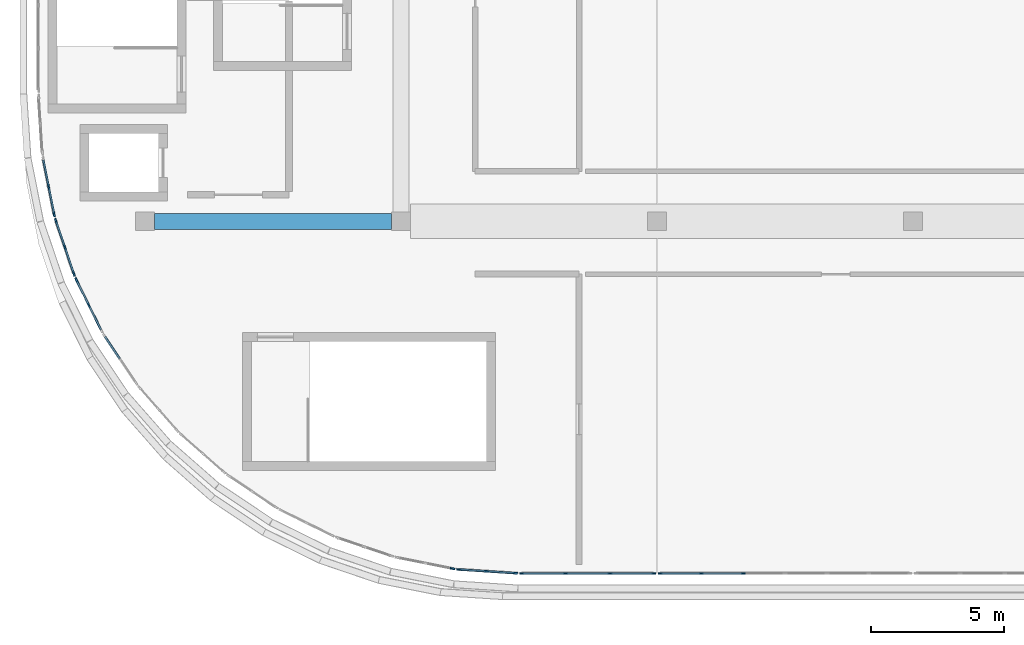
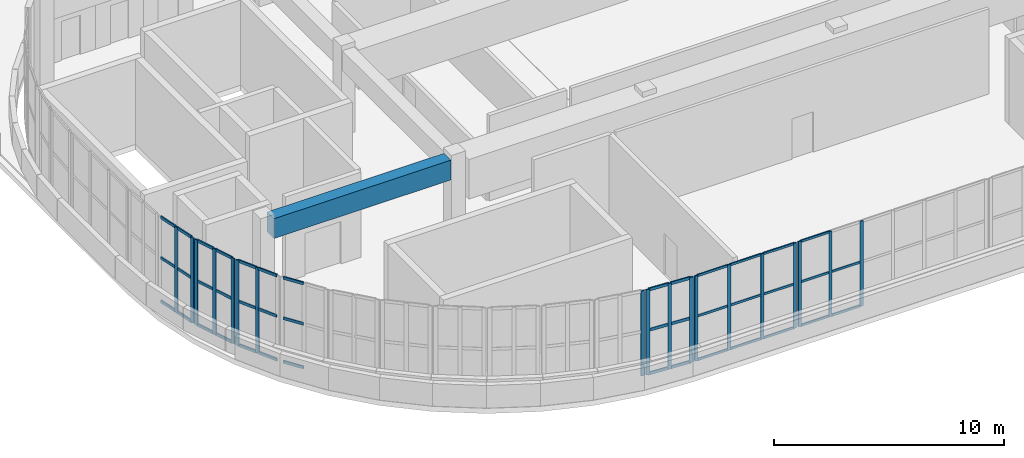
# One storey, part 3 of 23: 59 members, 1 beam, 8 elements without a shape of their own.
"""IFC4 building model written with IfcOpenShell, lengths in metres."""

import ifcopenshell
import ifcopenshell.guid

model = None  # the IFC model being written
_history = None  # IfcOwnerHistory: only IFC2X3 demands one
_inside = {}  # id of a spatial element -> (the spatial element, [elements in it])
_under = {}  # id of a project, library or spatial element -> (it, [spatial elements below it])
_declared = {}  # id of a project -> (the project, [libraries it declares])
_typed = {}  # id of a type object -> (the type object, [elements of that type])
_made_of = {}  # id of a material, layer set ... -> (it, [elements and type objects made of it])


def new_model(schema):
    """Start an empty IFC model of exactly this schema.

    Asked for "IFC4X3", IfcOpenShell would pick the latest addendum, in which some entities
    have other attributes; the version numbers below select the first issue.
    IFC2X3 requires an IfcOwnerHistory on every rooted entity: one is made here for all.
    """
    global model, _history
    if schema == "IFC4X3":
        model = ifcopenshell.file(schema_version=(4, 3, 0, 0))
    else:
        model = ifcopenshell.file(schema=schema)
    _inside.clear()
    _under.clear()
    _declared.clear()
    _typed.clear()
    _made_of.clear()
    _history = None
    if model.schema == "IFC2X3":
        org = make("IfcOrganization", Name="unknown")
        user = make(
            "IfcPersonAndOrganization",
            ThePerson=make("IfcPerson", FamilyName="unknown"),
            TheOrganization=org,
        )
        app = make(
            "IfcApplication",
            ApplicationDeveloper=org,
            Version="unknown",
            ApplicationFullName="unknown",
            ApplicationIdentifier="unknown",
        )
        _history = make(
            "IfcOwnerHistory",
            OwningUser=user,
            OwningApplication=app,
            ChangeAction="ADDED",
            CreationDate=0,
        )
    return model


def make(cls, **values):
    """One entity of the class cls with the attributes given. An attribute that is None is left unset."""
    return model.create_entity(
        cls, **{name: value for name, value in values.items() if value is not None}
    )


def rooted(cls, **values):
    """An entity with a GlobalId (a new one), such as an element, a storey or a relation."""
    return make(cls, GlobalId=ifcopenshell.guid.new(), OwnerHistory=_history, **values)


def si_unit(unit_type, name, prefix=None):
    """IfcSIUnit, for example si_unit("LENGTHUNIT", "METRE", prefix="MILLI")."""
    return make("IfcSIUnit", UnitType=unit_type, Prefix=prefix, Name=name)


def assignment(units):
    """IfcUnitAssignment: the units of a project."""
    return None if units is None else make("IfcUnitAssignment", Units=units)


def point(xyz):
    """IfcCartesianPoint."""
    return None if xyz is None else make("IfcCartesianPoint", Coordinates=xyz)


def direction(xyz):
    """IfcDirection."""
    return None if xyz is None else make("IfcDirection", DirectionRatios=xyz)


def frame(location, z_axis=None, x_axis=None):
    """IfcAxis2Placement3D, a coordinate frame: its origin and axes. An axis left out is left unset."""
    return make(
        "IfcAxis2Placement3D",
        Location=point(location),
        Axis=direction(z_axis),
        RefDirection=direction(x_axis),
    )


def frame_2d(location, x_axis=None):
    """IfcAxis2Placement2D, a coordinate frame in the plane: its origin and x axis."""
    return make(
        "IfcAxis2Placement2D", Location=point(location), RefDirection=direction(x_axis)
    )


def origin():
    """The frame at (0, 0, 0) with its axes left unset."""
    return frame((0.0, 0.0, 0.0))


def origin_2d():
    """The frame at (0, 0) in the plane with its x axis left unset."""
    return frame_2d((0.0, 0.0))


def place(relative_to, where):
    """IfcLocalPlacement: puts the frame where relative to a parent placement (None: the world)."""
    return make(
        "IfcLocalPlacement", PlacementRelTo=relative_to, RelativePlacement=where
    )


def context(
    kind, dimensions, precision=None, world=None, true_north=None, identifier=None
):
    """IfcGeometricRepresentationContext, for example the 3D "Model" context."""
    return make(
        "IfcGeometricRepresentationContext",
        ContextIdentifier=identifier,
        ContextType=kind,
        CoordinateSpaceDimension=dimensions,
        Precision=precision,
        WorldCoordinateSystem=world,
        TrueNorth=true_north,
    )


def subcontext(parent, identifier, kind, view, scale=None):
    """IfcGeometricRepresentationSubContext, for example "Body" below "Model"."""
    return make(
        "IfcGeometricRepresentationSubContext",
        ContextIdentifier=identifier,
        ContextType=kind,
        ParentContext=parent,
        TargetScale=scale,
        TargetView=view,
    )


def project(units=None, contexts=None):
    """IfcProject with its units and contexts."""
    return rooted(
        "IfcProject",
        Name="project",
        RepresentationContexts=contexts,
        UnitsInContext=assignment(units),
    )


def spatial(cls, under=None, at=None, **own):
    """A site, building, storey or space (cls), placed at a placement, below another one or the project."""
    s = rooted(cls, ObjectPlacement=at, **own)
    if under is not None:
        _under.setdefault(under.id(), (under, []))[1].append(s)
    return s


def profile(cls, at=None, kind="AREA", **sizes):
    """A parametric profile (cls). Its sizes go by their IFC names, for example OverallWidth=200.0."""
    return make(cls, ProfileType=kind, Position=at, **sizes)


def rectangle(**sizes):
    """IfcRectangleProfileDef."""
    return profile("IfcRectangleProfileDef", **sizes)


def extrude(swept, where, along, depth):
    """IfcExtrudedAreaSolid: the profile swept, set in the frame where, extruded along a direction by depth."""
    return make(
        "IfcExtrudedAreaSolid",
        SweptArea=swept,
        Position=where,
        ExtrudedDirection=direction(along),
        Depth=depth,
    )


def shape(context_of_items, identifier, shape_type, items):
    """IfcShapeRepresentation: the items that make up one representation, for example the "Body"."""
    return make(
        "IfcShapeRepresentation",
        ContextOfItems=context_of_items,
        RepresentationIdentifier=identifier,
        RepresentationType=shape_type,
        Items=items,
    )


def material(Name=None, Category=None):
    """IfcMaterial."""
    return make("IfcMaterial", Name=Name, Category=Category)


def layer(
    of_material, thickness, ventilated=None, Name=None, Category=None, Priority=None
):
    """IfcMaterialLayer: one layer of a wall or slab, of a material (None: an air gap)."""
    return make(
        "IfcMaterialLayer",
        Material=of_material,
        LayerThickness=thickness,
        IsVentilated=ventilated,
        Name=Name,
        Category=Category,
        Priority=Priority,
    )


def layer_set(layers, Name=None):
    """IfcMaterialLayerSet."""
    return make("IfcMaterialLayerSet", MaterialLayers=layers, LayerSetName=Name)


def material_profile(
    of_material, cross_section, Name=None, Category=None, Priority=None
):
    """IfcMaterialProfile: a cross section and its material."""
    return make(
        "IfcMaterialProfile",
        Name=Name,
        Material=of_material,
        Profile=cross_section,
        Priority=Priority,
        Category=Category,
    )


def profile_set(profiles, Name=None, composite=None):
    """IfcMaterialProfileSet."""
    return make(
        "IfcMaterialProfileSet",
        Name=Name,
        MaterialProfiles=profiles,
        CompositeProfile=composite,
    )


def made_of(thing, what):
    """Note that an element or type object is made of a material, layer set ...; save() writes the relation."""
    if what is not None:
        _made_of.setdefault(what.id(), (what, []))[1].append(thing)
    return thing


def type_object(cls, material=None, **own):
    """A type object (cls), such as IfcWallType, which elements share."""
    return made_of(rooted(cls, **own), material)


def element(
    cls,
    number,
    at=None,
    inside=None,
    cuts=None,
    type_object=None,
    material=None,
    context=None,
    identifier="Body",
    shape_type=None,
    held_by="IfcProductDefinitionShape",
    body=None,
    shapes=None,
    **own,
):
    """One element of the class cls, such as IfcWall. Its Tag is "e" and its number.

    at: its placement. inside: the storey or other place that contains it. cuts: it is an
    opening in that element (IfcRelVoidsElement). A single representation is given by context,
    identifier, shape_type and body (its items); several are given by shapes. held_by: the class
    of the entity that holds the representations. save() writes the other relations.
    """
    e = rooted(cls, Tag="e%d" % number, ObjectPlacement=at, **own)
    if body is not None:
        shapes = [shape(context, identifier, shape_type, body)]
    if shapes is not None:
        e.Representation = make(held_by, Representations=shapes)
    if inside is not None:
        _inside.setdefault(inside.id(), (inside, []))[1].append(e)
    if cuts is not None:
        rooted(
            "IfcRelVoidsElement", RelatingBuildingElement=cuts, RelatedOpeningElement=e
        )
    if type_object is not None:
        _typed.setdefault(type_object.id(), (type_object, []))[1].append(e)
    return made_of(e, material)


def aggregate(whole, parts):
    """IfcRelAggregates: a whole, such as a stair, and the parts it consists of."""
    return rooted("IfcRelAggregates", RelatingObject=whole, RelatedObjects=parts)


def save(model, path):
    """Write the relations noted so far, then the file.

    IfcRelAggregates (storeys below a building ...), IfcRelContainedInSpatialStructure (elements
    in a storey), IfcRelDefinesByType, IfcRelAssociatesMaterial and IfcRelDeclares: one each for
    every whole, place, type object, material and project.
    """
    for whole, parts in _under.values():
        aggregate(whole, parts)
    for where, things in _inside.values():
        rooted(
            "IfcRelContainedInSpatialStructure",
            RelatedElements=things,
            RelatingStructure=where,
        )
    for kind, things in _typed.values():
        rooted("IfcRelDefinesByType", RelatedObjects=things, RelatingType=kind)
    for what, things in _made_of.values():
        rooted("IfcRelAssociatesMaterial", RelatedObjects=things, RelatingMaterial=what)
    for by, libraries in _declared.values():
        rooted("IfcRelDeclares", RelatingContext=by, RelatedDefinitions=libraries)
    model.write(path)


model = new_model("IFC4")

# Units and contexts
model_context = context("Model", 3, precision=1e-05, world=origin(), true_north=direction((0.0, 1.0)))
body_context = subcontext(model_context, "Body", "Model", "MODEL_VIEW")
ifc_project = project(units=[si_unit("LENGTHUNIT", "METRE"), si_unit("AREAUNIT", "SQUARE_METRE"), si_unit("VOLUMEUNIT", "CUBIC_METRE"), si_unit("PLANEANGLEUNIT", "RADIAN"), si_unit("MASSUNIT", "GRAM", prefix="KILO")], contexts=[model_context])

# Site, building, storey
site_placement = place(None, origin())
site = spatial("IfcSite", under=ifc_project, at=site_placement, CompositionType="ELEMENT")
building_placement = place(site_placement, origin())
building = spatial("IfcBuilding", under=site, at=building_placement, Name="Cendralis Terraced Arcade", CompositionType="ELEMENT")
storey_placement = place(building_placement, frame((0.0, 0.0, 29.39990234375)))
storey = spatial("IfcBuildingStorey", under=building, at=storey_placement, Name="L06", CompositionType="ELEMENT", Elevation=29.39990234375)

# Beam
ifc_material_1 = material(Name="Concrete f'c 35 MPa", Category="concrete")
ifc_material_profile_1 = material_profile(ifc_material_1, rectangle(XDim=0.60009765625, YDim=1.050048828125, at=origin_2d()), Name="RC-BM-600x1050", Category="LoadBearing")
ifc_profile_set_1 = profile_set([ifc_material_profile_1], Name="Concrete f'c 35 MPa")
beam_type = type_object("IfcBeamType", Name="BM-600x1050", PredefinedType="JOIST", material=ifc_profile_set_1)
beam_placement = place(storey_placement, frame((9.949951171875, 19.199951171875, 4.0), z_axis=(1.0, 0.0, 0.0), x_axis=(0.0, 1.0, 0.0)))
element("IfcBeam", 1, at=beam_placement, inside=storey, type_object=beam_type, Name="Reinforced Concrete Frame Beam BM-X-RF-C-2_3", PredefinedType="JOIST", context=body_context, shape_type="SweptSolid", body=[
    extrude(rectangle(XDim=0.60009765625, YDim=1.050048828125, at=origin_2d()), origin(), (0.0, 0.0, 1.0), 8.900146484375),
])

# Curtain wall, members
ifc_material_2 = material(Name="Anodised aluminium EN AW-6063 T6", Category="aluminium")
ifc_layer_1 = layer(ifc_material_2, 0.179931640625, Name="CW-UNIT-A")
ifc_layer_set_1 = layer_set([ifc_layer_1], Name="Anodised aluminium EN AW-6063 T6")
curtain_wall_type_1 = type_object("IfcCurtainWallType", Name="CW-UNIT-A", PredefinedType="USERDEFINED", material=ifc_layer_set_1)
curtain_wall_1_placement = place(storey_placement, origin())
curtain_wall_1 = element("IfcCurtainWall", 2, at=curtain_wall_1_placement, inside=storey, type_object=curtain_wall_type_1, Name="Exterior Unitised Facade CW-L06-0485", ObjectType="UNITISED FACADE", PredefinedType="USERDEFINED")
ifc_material_profile_2 = material_profile(ifc_material_2, rectangle(XDim=0.06494140625, YDim=0.179931640625, at=origin_2d()), Name="ALU-MUL-65x180")
ifc_profile_set_2 = profile_set([ifc_material_profile_2], Name="Anodised aluminium EN AW-6063 T6")
member_type_1 = type_object("IfcMemberType", Name="CW-UNIT-A-MUL", PredefinedType="MULLION", material=ifc_profile_set_2)
member_1_placement = place(storey_placement, frame((23.477783203125, 6.008056640625, 0.0), z_axis=(0.0, 0.0, 1.0), x_axis=(-0.065392707503, -0.99785960626, 0.0)))
member_1 = element("IfcMember", 3, at=member_1_placement, type_object=member_type_1, Name="CW-U1 mullion 1", PredefinedType="MULLION", context=body_context, shape_type="SweptSolid", body=[
    extrude(rectangle(XDim=0.06494140625, YDim=0.179931640625, at=origin_2d()), origin(), (0.0, 0.0, 1.0), 4.525146484375),
])
member_2_placement = place(storey_placement, frame((22.42529296875, 6.076904296875, 0.0), z_axis=(0.0, 0.0, 1.0), x_axis=(-0.065392707503, -0.99785960626, 0.0)))
member_2 = element("IfcMember", 4, at=member_2_placement, type_object=member_type_1, Name="CW-U1 mullion 2", PredefinedType="MULLION", context=body_context, shape_type="SweptSolid", body=[
    extrude(rectangle(XDim=0.06494140625, YDim=0.179931640625, at=origin_2d()), origin(), (0.0, 0.0, 1.0), 4.525146484375),
])
member_3_placement = place(storey_placement, frame((21.372802734375, 6.14599609375, 0.0), z_axis=(0.0, 0.0, 1.0), x_axis=(-0.065392707503, -0.99785960626, 0.0)))
member_3 = element("IfcMember", 5, at=member_3_placement, type_object=member_type_1, Name="CW-U1 mullion 3", PredefinedType="MULLION", context=body_context, shape_type="SweptSolid", body=[
    extrude(rectangle(XDim=0.06494140625, YDim=0.179931640625, at=origin_2d()), origin(), (0.0, 0.0, 1.0), 4.525146484375),
])

# Curtain wall, member
curtain_wall_2_placement = place(storey_placement, origin())
curtain_wall_2 = element("IfcCurtainWall", 6, at=curtain_wall_2_placement, inside=storey, type_object=curtain_wall_type_1, Name="Exterior Unitised Facade CW-L06-0486", ObjectType="UNITISED FACADE", PredefinedType="USERDEFINED")
member_4_placement = place(storey_placement, frame((21.13037109375, 6.177978515625, 0.0), z_axis=(0.0, 0.0, 1.0), x_axis=(-0.195045853998, -0.980794124594, 0.0)))
member_4 = element("IfcMember", 7, at=member_4_placement, type_object=member_type_1, Name="CW-U1 mullion 1", PredefinedType="MULLION", context=body_context, shape_type="SweptSolid", body=[
    extrude(rectangle(XDim=0.06494140625, YDim=0.179931640625, at=origin_2d()), origin(), (0.0, 0.0, 1.0), 4.525146484375),
])
aggregate(curtain_wall_2, [member_4])

# Curtain wall, members
curtain_wall_3_placement = place(storey_placement, origin())
curtain_wall_3 = element("IfcCurtainWall", 8, at=curtain_wall_3_placement, inside=storey, type_object=curtain_wall_type_1, Name="Exterior Unitised Facade CW-L06-0493", ObjectType="UNITISED FACADE", PredefinedType="USERDEFINED")
member_5_placement = place(storey_placement, frame((7.490966796875, 16.055908203125, 0.0), z_axis=(0.0, 0.0, 1.0), x_axis=(-0.896887612731, -0.442258533133, 0.0)))
member_5 = element("IfcMember", 9, at=member_5_placement, type_object=member_type_1, Name="CW-U1 mullion 2", PredefinedType="MULLION", context=body_context, shape_type="SweptSolid", body=[
    extrude(rectangle(XDim=0.06494140625, YDim=0.179931640625, at=origin_2d()), origin(), (0.0, 0.0, 1.0), 4.525146484375),
])
member_6_placement = place(storey_placement, frame((7.0244140625, 17.001953125, 0.0), z_axis=(0.0, 0.0, 1.0), x_axis=(-0.896887612731, -0.442258533133, 0.0)))
member_6 = element("IfcMember", 10, at=member_6_placement, type_object=member_type_1, Name="CW-U1 mullion 3", PredefinedType="MULLION", context=body_context, shape_type="SweptSolid", body=[
    extrude(rectangle(XDim=0.06494140625, YDim=0.179931640625, at=origin_2d()), origin(), (0.0, 0.0, 1.0), 4.525146484375),
])

curtain_wall_4_placement = place(storey_placement, origin())
curtain_wall_4 = element("IfcCurtainWall", 11, at=curtain_wall_4_placement, inside=storey, type_object=curtain_wall_type_1, Name="Exterior Unitised Facade CW-L06-0494", ObjectType="UNITISED FACADE", PredefinedType="USERDEFINED")
member_7_placement = place(storey_placement, frame((6.930908203125, 17.227783203125, 0.0), z_axis=(0.0, 0.0, 1.0), x_axis=(-0.946916721066, -0.321478962554, 0.0)))
member_7 = element("IfcMember", 12, at=member_7_placement, type_object=member_type_1, Name="CW-U1 mullion 1", PredefinedType="MULLION", context=body_context, shape_type="SweptSolid", body=[
    extrude(rectangle(XDim=0.06494140625, YDim=0.179931640625, at=origin_2d()), origin(), (0.0, 0.0, 1.0), 4.525146484375),
])
member_8_placement = place(storey_placement, frame((6.591796875, 18.2265625, 0.0), z_axis=(0.0, 0.0, 1.0), x_axis=(-0.946916721066, -0.321478962554, 0.0)))
member_8 = element("IfcMember", 13, at=member_8_placement, type_object=member_type_1, Name="CW-U1 mullion 2", PredefinedType="MULLION", context=body_context, shape_type="SweptSolid", body=[
    extrude(rectangle(XDim=0.06494140625, YDim=0.179931640625, at=origin_2d()), origin(), (0.0, 0.0, 1.0), 4.525146484375),
])
member_9_placement = place(storey_placement, frame((6.252685546875, 19.225341796875, 0.0), z_axis=(0.0, 0.0, 1.0), x_axis=(-0.946916721066, -0.321478962554, 0.0)))
member_9 = element("IfcMember", 14, at=member_9_placement, type_object=member_type_1, Name="CW-U1 mullion 3", PredefinedType="MULLION", context=body_context, shape_type="SweptSolid", body=[
    extrude(rectangle(XDim=0.06494140625, YDim=0.179931640625, at=origin_2d()), origin(), (0.0, 0.0, 1.0), 4.525146484375),
])

curtain_wall_5_placement = place(storey_placement, origin())
curtain_wall_5 = element("IfcCurtainWall", 15, at=curtain_wall_5_placement, inside=storey, type_object=curtain_wall_type_1, Name="Exterior Unitised Facade CW-L06-0495", ObjectType="UNITISED FACADE", PredefinedType="USERDEFINED")
member_10_placement = place(storey_placement, frame((6.189453125, 19.46142578125, 0.0), z_axis=(0.0, 0.0, 1.0), x_axis=(-0.980794124594, -0.195045853998, 0.0)))
member_10 = element("IfcMember", 16, at=member_10_placement, type_object=member_type_1, Name="CW-U1 mullion 1", PredefinedType="MULLION", context=body_context, shape_type="SweptSolid", body=[
    extrude(rectangle(XDim=0.06494140625, YDim=0.179931640625, at=origin_2d()), origin(), (0.0, 0.0, 1.0), 4.525146484375),
])
member_11_placement = place(storey_placement, frame((5.983642578125, 20.495849609375, 0.0), z_axis=(0.0, 0.0, 1.0), x_axis=(-0.980794124594, -0.195045853998, 0.0)))
member_11 = element("IfcMember", 17, at=member_11_placement, type_object=member_type_1, Name="CW-U1 mullion 2", PredefinedType="MULLION", context=body_context, shape_type="SweptSolid", body=[
    extrude(rectangle(XDim=0.06494140625, YDim=0.179931640625, at=origin_2d()), origin(), (0.0, 0.0, 1.0), 4.525146484375),
])

# Member
ifc_material_profile_3 = material_profile(ifc_material_2, rectangle(XDim=0.06494140625, YDim=0.14990234375, at=origin_2d()), Name="ALU-TRN-65x150")
ifc_profile_set_3 = profile_set([ifc_material_profile_3], Name="Anodised aluminium EN AW-6063 T6")
member_type_2 = type_object("IfcMemberType", Name="CW-UNIT-A-TRN", PredefinedType="USERDEFINED", material=ifc_profile_set_3)
member_12_placement = place(storey_placement, frame((23.4453125, 6.01025390625, 0.03271484375), z_axis=(-0.997860907992, 0.065372840697, 0.0), x_axis=(-0.065372840697, -0.997860907992, 0.0)))
member_12 = element("IfcMember", 18, at=member_12_placement, type_object=member_type_2, Name="CW-U1 transom 1.1", ObjectType="TRANSOM", PredefinedType="USERDEFINED", context=body_context, shape_type="SweptSolid", body=[
    extrude(rectangle(XDim=0.06494140625, YDim=0.14990234375, at=origin_2d()), origin(), (0.0, 0.0, 1.0), 0.98974609375),
])

member_13_placement = place(storey_placement, frame((23.4453125, 6.01025390625, 2.35302734375), z_axis=(-0.997860907992, 0.065372840697, 0.0), x_axis=(-0.065372840697, -0.997860907992, 0.0)))
member_13 = element("IfcMember", 19, at=member_13_placement, type_object=member_type_2, Name="CW-U1 transom 1.2", ObjectType="TRANSOM", PredefinedType="USERDEFINED", context=body_context, shape_type="SweptSolid", body=[
    extrude(rectangle(XDim=0.06494140625, YDim=0.14990234375, at=origin_2d()), origin(), (0.0, 0.0, 1.0), 0.98974609375),
])

member_14_placement = place(storey_placement, frame((23.4453125, 6.01025390625, 4.49267578125), z_axis=(-0.997860907992, 0.065372840697, 0.0), x_axis=(-0.065372840697, -0.997860907992, 0.0)))
member_14 = element("IfcMember", 20, at=member_14_placement, type_object=member_type_2, Name="CW-U1 transom 1.3", ObjectType="TRANSOM", PredefinedType="USERDEFINED", context=body_context, shape_type="SweptSolid", body=[
    extrude(rectangle(XDim=0.06494140625, YDim=0.14990234375, at=origin_2d()), origin(), (0.0, 0.0, 1.0), 0.98974609375),
])

member_15_placement = place(storey_placement, frame((22.392822265625, 6.0791015625, 0.03271484375), z_axis=(-0.997860907992, 0.065372840697, 0.0), x_axis=(-0.065372840697, -0.997860907992, 0.0)))
member_15 = element("IfcMember", 21, at=member_15_placement, type_object=member_type_2, Name="CW-U1 transom 2.1", ObjectType="TRANSOM", PredefinedType="USERDEFINED", context=body_context, shape_type="SweptSolid", body=[
    extrude(rectangle(XDim=0.06494140625, YDim=0.14990234375, at=origin_2d()), origin(), (0.0, 0.0, 1.0), 0.98974609375),
])

member_16_placement = place(storey_placement, frame((22.392822265625, 6.0791015625, 2.35302734375), z_axis=(-0.997860907992, 0.065372840697, 0.0), x_axis=(-0.065372840697, -0.997860907992, 0.0)))
member_16 = element("IfcMember", 22, at=member_16_placement, type_object=member_type_2, Name="CW-U1 transom 2.2", ObjectType="TRANSOM", PredefinedType="USERDEFINED", context=body_context, shape_type="SweptSolid", body=[
    extrude(rectangle(XDim=0.06494140625, YDim=0.14990234375, at=origin_2d()), origin(), (0.0, 0.0, 1.0), 0.98974609375),
])

member_17_placement = place(storey_placement, frame((22.392822265625, 6.0791015625, 4.49267578125), z_axis=(-0.997860907992, 0.065372840697, 0.0), x_axis=(-0.065372840697, -0.997860907992, 0.0)))
member_17 = element("IfcMember", 23, at=member_17_placement, type_object=member_type_2, Name="CW-U1 transom 2.3", ObjectType="TRANSOM", PredefinedType="USERDEFINED", context=body_context, shape_type="SweptSolid", body=[
    extrude(rectangle(XDim=0.06494140625, YDim=0.14990234375, at=origin_2d()), origin(), (0.0, 0.0, 1.0), 0.98974609375),
])

aggregate(curtain_wall_1, [member_1, member_2, member_3, member_12, member_13, member_14, member_15, member_16, member_17])

# Curtain wall, members
curtain_wall_6_placement = place(storey_placement, origin())
curtain_wall_6 = element("IfcCurtainWall", 24, at=curtain_wall_6_placement, inside=storey, type_object=curtain_wall_type_1, Name="Exterior Unitised Facade CW-L06-0492", ObjectType="UNITISED FACADE", PredefinedType="USERDEFINED")
member_18_placement = place(storey_placement, frame((8.6474609375, 14.048095703125, 0.03271484375), z_axis=(-0.555496869946, 0.83151862726, 0.0), x_axis=(-0.83151862726, -0.555496869946, 0.0)))
member_18 = element("IfcMember", 25, at=member_18_placement, type_object=member_type_2, Name="CW-U1 transom 2.1", ObjectType="TRANSOM", PredefinedType="USERDEFINED", context=body_context, shape_type="SweptSolid", body=[
    extrude(rectangle(XDim=0.06494140625, YDim=0.14990234375, at=origin_2d()), origin(), (0.0, 0.0, 1.0), 0.98974609375),
])
member_19_placement = place(storey_placement, frame((8.6474609375, 14.048095703125, 2.35302734375), z_axis=(-0.555496869946, 0.83151862726, 0.0), x_axis=(-0.83151862726, -0.555496869946, 0.0)))
member_19 = element("IfcMember", 26, at=member_19_placement, type_object=member_type_2, Name="CW-U1 transom 2.2", ObjectType="TRANSOM", PredefinedType="USERDEFINED", context=body_context, shape_type="SweptSolid", body=[
    extrude(rectangle(XDim=0.06494140625, YDim=0.14990234375, at=origin_2d()), origin(), (0.0, 0.0, 1.0), 0.98974609375),
])
member_20_placement = place(storey_placement, frame((8.6474609375, 14.048095703125, 4.49267578125), z_axis=(-0.555496869946, 0.83151862726, 0.0), x_axis=(-0.83151862726, -0.555496869946, 0.0)))
member_20 = element("IfcMember", 27, at=member_20_placement, type_object=member_type_2, Name="CW-U1 transom 2.3", ObjectType="TRANSOM", PredefinedType="USERDEFINED", context=body_context, shape_type="SweptSolid", body=[
    extrude(rectangle(XDim=0.06494140625, YDim=0.14990234375, at=origin_2d()), origin(), (0.0, 0.0, 1.0), 0.98974609375),
])
aggregate(curtain_wall_6, [member_18, member_19, member_20])

# Member
member_21_placement = place(storey_placement, frame((7.94287109375, 15.138916015625, 0.03271484375), z_axis=(-0.442273458104, 0.89688025302, 0.0), x_axis=(-0.89688025302, -0.442273458104, 0.0)))
member_21 = element("IfcMember", 28, at=member_21_placement, type_object=member_type_2, Name="CW-U1 transom 1.1", ObjectType="TRANSOM", PredefinedType="USERDEFINED", context=body_context, shape_type="SweptSolid", body=[
    extrude(rectangle(XDim=0.06494140625, YDim=0.14990234375, at=origin_2d()), origin(), (0.0, 0.0, 1.0), 0.98974609375),
])

member_22_placement = place(storey_placement, frame((7.94287109375, 15.138916015625, 2.35302734375), z_axis=(-0.442273458104, 0.89688025302, 0.0), x_axis=(-0.89688025302, -0.442273458104, 0.0)))
member_22 = element("IfcMember", 29, at=member_22_placement, type_object=member_type_2, Name="CW-U1 transom 1.2", ObjectType="TRANSOM", PredefinedType="USERDEFINED", context=body_context, shape_type="SweptSolid", body=[
    extrude(rectangle(XDim=0.06494140625, YDim=0.14990234375, at=origin_2d()), origin(), (0.0, 0.0, 1.0), 0.98974609375),
])

member_23_placement = place(storey_placement, frame((7.94287109375, 15.138916015625, 4.49267578125), z_axis=(-0.442273458104, 0.89688025302, 0.0), x_axis=(-0.89688025302, -0.442273458104, 0.0)))
member_23 = element("IfcMember", 30, at=member_23_placement, type_object=member_type_2, Name="CW-U1 transom 1.3", ObjectType="TRANSOM", PredefinedType="USERDEFINED", context=body_context, shape_type="SweptSolid", body=[
    extrude(rectangle(XDim=0.06494140625, YDim=0.14990234375, at=origin_2d()), origin(), (0.0, 0.0, 1.0), 0.98974609375),
])

member_24_placement = place(storey_placement, frame((7.4765625, 16.0849609375, 0.03271484375), z_axis=(-0.442273458104, 0.89688025302, 0.0), x_axis=(-0.89688025302, -0.442273458104, 0.0)))
member_24 = element("IfcMember", 31, at=member_24_placement, type_object=member_type_2, Name="CW-U1 transom 2.1", ObjectType="TRANSOM", PredefinedType="USERDEFINED", context=body_context, shape_type="SweptSolid", body=[
    extrude(rectangle(XDim=0.06494140625, YDim=0.14990234375, at=origin_2d()), origin(), (0.0, 0.0, 1.0), 0.98974609375),
])

member_25_placement = place(storey_placement, frame((7.4765625, 16.0849609375, 2.35302734375), z_axis=(-0.442273458104, 0.89688025302, 0.0), x_axis=(-0.89688025302, -0.442273458104, 0.0)))
member_25 = element("IfcMember", 32, at=member_25_placement, type_object=member_type_2, Name="CW-U1 transom 2.2", ObjectType="TRANSOM", PredefinedType="USERDEFINED", context=body_context, shape_type="SweptSolid", body=[
    extrude(rectangle(XDim=0.06494140625, YDim=0.14990234375, at=origin_2d()), origin(), (0.0, 0.0, 1.0), 0.98974609375),
])

member_26_placement = place(storey_placement, frame((7.4765625, 16.0849609375, 4.49267578125), z_axis=(-0.442273458104, 0.89688025302, 0.0), x_axis=(-0.89688025302, -0.442273458104, 0.0)))
member_26 = element("IfcMember", 33, at=member_26_placement, type_object=member_type_2, Name="CW-U1 transom 2.3", ObjectType="TRANSOM", PredefinedType="USERDEFINED", context=body_context, shape_type="SweptSolid", body=[
    extrude(rectangle(XDim=0.06494140625, YDim=0.14990234375, at=origin_2d()), origin(), (0.0, 0.0, 1.0), 0.98974609375),
])

aggregate(curtain_wall_3, [member_5, member_6, member_21, member_22, member_23, member_24, member_25, member_26])

member_27_placement = place(storey_placement, frame((6.92041015625, 17.258544921875, 0.03271484375), z_axis=(-0.321402992909, 0.946942509421, 0.0), x_axis=(-0.946942509421, -0.321402992909, 0.0)))
member_27 = element("IfcMember", 34, at=member_27_placement, type_object=member_type_2, Name="CW-U1 transom 1.1", ObjectType="TRANSOM", PredefinedType="USERDEFINED", context=body_context, shape_type="SweptSolid", body=[
    extrude(rectangle(XDim=0.06494140625, YDim=0.14990234375, at=origin_2d()), origin(), (0.0, 0.0, 1.0), 0.98974609375),
])

member_28_placement = place(storey_placement, frame((6.92041015625, 17.258544921875, 2.35302734375), z_axis=(-0.321402992909, 0.946942509421, 0.0), x_axis=(-0.946942509421, -0.321402992909, 0.0)))
member_28 = element("IfcMember", 35, at=member_28_placement, type_object=member_type_2, Name="CW-U1 transom 1.2", ObjectType="TRANSOM", PredefinedType="USERDEFINED", context=body_context, shape_type="SweptSolid", body=[
    extrude(rectangle(XDim=0.06494140625, YDim=0.14990234375, at=origin_2d()), origin(), (0.0, 0.0, 1.0), 0.98974609375),
])

member_29_placement = place(storey_placement, frame((6.92041015625, 17.258544921875, 4.49267578125), z_axis=(-0.321402992909, 0.946942509421, 0.0), x_axis=(-0.946942509421, -0.321402992909, 0.0)))
member_29 = element("IfcMember", 36, at=member_29_placement, type_object=member_type_2, Name="CW-U1 transom 1.3", ObjectType="TRANSOM", PredefinedType="USERDEFINED", context=body_context, shape_type="SweptSolid", body=[
    extrude(rectangle(XDim=0.06494140625, YDim=0.14990234375, at=origin_2d()), origin(), (0.0, 0.0, 1.0), 0.98974609375),
])

member_30_placement = place(storey_placement, frame((6.581298828125, 18.25732421875, 0.03271484375), z_axis=(-0.321402992909, 0.946942509421, 0.0), x_axis=(-0.946942509421, -0.321402992909, 0.0)))
member_30 = element("IfcMember", 37, at=member_30_placement, type_object=member_type_2, Name="CW-U1 transom 2.1", ObjectType="TRANSOM", PredefinedType="USERDEFINED", context=body_context, shape_type="SweptSolid", body=[
    extrude(rectangle(XDim=0.06494140625, YDim=0.14990234375, at=origin_2d()), origin(), (0.0, 0.0, 1.0), 0.98974609375),
])

member_31_placement = place(storey_placement, frame((6.581298828125, 18.25732421875, 2.35302734375), z_axis=(-0.321402992909, 0.946942509421, 0.0), x_axis=(-0.946942509421, -0.321402992909, 0.0)))
member_31 = element("IfcMember", 38, at=member_31_placement, type_object=member_type_2, Name="CW-U1 transom 2.2", ObjectType="TRANSOM", PredefinedType="USERDEFINED", context=body_context, shape_type="SweptSolid", body=[
    extrude(rectangle(XDim=0.06494140625, YDim=0.14990234375, at=origin_2d()), origin(), (0.0, 0.0, 1.0), 0.98974609375),
])

member_32_placement = place(storey_placement, frame((6.581298828125, 18.25732421875, 4.49267578125), z_axis=(-0.321402992909, 0.946942509421, 0.0), x_axis=(-0.946942509421, -0.321402992909, 0.0)))
member_32 = element("IfcMember", 39, at=member_32_placement, type_object=member_type_2, Name="CW-U1 transom 2.3", ObjectType="TRANSOM", PredefinedType="USERDEFINED", context=body_context, shape_type="SweptSolid", body=[
    extrude(rectangle(XDim=0.06494140625, YDim=0.14990234375, at=origin_2d()), origin(), (0.0, 0.0, 1.0), 0.98974609375),
])

aggregate(curtain_wall_4, [member_7, member_8, member_9, member_27, member_28, member_29, member_30, member_31, member_32])

member_33_placement = place(storey_placement, frame((6.18310546875, 19.493408203125, 0.03271484375), z_axis=(-0.195119846833, 0.98077940709, 0.0), x_axis=(-0.98077940709, -0.195119846833, 0.0)))
member_33 = element("IfcMember", 40, at=member_33_placement, type_object=member_type_2, Name="CW-U1 transom 1.1", ObjectType="TRANSOM", PredefinedType="USERDEFINED", context=body_context, shape_type="SweptSolid", body=[
    extrude(rectangle(XDim=0.06494140625, YDim=0.14990234375, at=origin_2d()), origin(), (0.0, 0.0, 1.0), 0.98974609375),
])

member_34_placement = place(storey_placement, frame((6.18310546875, 19.493408203125, 2.35302734375), z_axis=(-0.195119846833, 0.98077940709, 0.0), x_axis=(-0.98077940709, -0.195119846833, 0.0)))
member_34 = element("IfcMember", 41, at=member_34_placement, type_object=member_type_2, Name="CW-U1 transom 1.2", ObjectType="TRANSOM", PredefinedType="USERDEFINED", context=body_context, shape_type="SweptSolid", body=[
    extrude(rectangle(XDim=0.06494140625, YDim=0.14990234375, at=origin_2d()), origin(), (0.0, 0.0, 1.0), 0.98974609375),
])

member_35_placement = place(storey_placement, frame((6.18310546875, 19.493408203125, 4.49267578125), z_axis=(-0.195119846833, 0.98077940709, 0.0), x_axis=(-0.98077940709, -0.195119846833, 0.0)))
member_35 = element("IfcMember", 42, at=member_35_placement, type_object=member_type_2, Name="CW-U1 transom 1.3", ObjectType="TRANSOM", PredefinedType="USERDEFINED", context=body_context, shape_type="SweptSolid", body=[
    extrude(rectangle(XDim=0.06494140625, YDim=0.14990234375, at=origin_2d()), origin(), (0.0, 0.0, 1.0), 0.98974609375),
])

member_36_placement = place(storey_placement, frame((5.977294921875, 20.52783203125, 0.03271484375), z_axis=(-0.195119846833, 0.98077940709, 0.0), x_axis=(-0.98077940709, -0.195119846833, 0.0)))
member_36 = element("IfcMember", 43, at=member_36_placement, type_object=member_type_2, Name="CW-U1 transom 2.1", ObjectType="TRANSOM", PredefinedType="USERDEFINED", context=body_context, shape_type="SweptSolid", body=[
    extrude(rectangle(XDim=0.06494140625, YDim=0.14990234375, at=origin_2d()), origin(), (0.0, 0.0, 1.0), 0.98974609375),
])

member_37_placement = place(storey_placement, frame((5.977294921875, 20.52783203125, 2.35302734375), z_axis=(-0.195119846833, 0.98077940709, 0.0), x_axis=(-0.98077940709, -0.195119846833, 0.0)))
member_37 = element("IfcMember", 44, at=member_37_placement, type_object=member_type_2, Name="CW-U1 transom 2.2", ObjectType="TRANSOM", PredefinedType="USERDEFINED", context=body_context, shape_type="SweptSolid", body=[
    extrude(rectangle(XDim=0.06494140625, YDim=0.14990234375, at=origin_2d()), origin(), (0.0, 0.0, 1.0), 0.98974609375),
])

member_38_placement = place(storey_placement, frame((5.977294921875, 20.52783203125, 4.49267578125), z_axis=(-0.195119846833, 0.98077940709, 0.0), x_axis=(-0.98077940709, -0.195119846833, 0.0)))
member_38 = element("IfcMember", 45, at=member_38_placement, type_object=member_type_2, Name="CW-U1 transom 2.3", ObjectType="TRANSOM", PredefinedType="USERDEFINED", context=body_context, shape_type="SweptSolid", body=[
    extrude(rectangle(XDim=0.06494140625, YDim=0.14990234375, at=origin_2d()), origin(), (0.0, 0.0, 1.0), 0.98974609375),
])

aggregate(curtain_wall_5, [member_10, member_11, member_33, member_34, member_35, member_36, member_37, member_38])

# Curtain wall, members
ifc_layer_2 = layer(ifc_material_2, 0.159912109375, Name="CW-UNIT-B")
ifc_layer_set_2 = layer_set([ifc_layer_2], Name="Anodised aluminium EN AW-6063 T6")
curtain_wall_type_2 = type_object("IfcCurtainWallType", Name="CW-UNIT-B", PredefinedType="USERDEFINED", material=ifc_layer_set_2)
curtain_wall_7_placement = place(storey_placement, origin())
curtain_wall_7 = element("IfcCurtainWall", 46, at=curtain_wall_7_placement, inside=storey, type_object=curtain_wall_type_2, Name="Exterior Unitised Facade CW-L06-0483", ObjectType="UNITISED FACADE", PredefinedType="USERDEFINED")
ifc_material_profile_4 = material_profile(ifc_material_2, rectangle(XDim=0.06494140625, YDim=0.159912109375, at=origin_2d()), Name="ALU-MUL-65x160")
ifc_profile_set_4 = profile_set([ifc_material_profile_4], Name="Anodised aluminium EN AW-6063 T6")
member_type_3 = type_object("IfcMemberType", Name="CW-UNIT-B-MUL", PredefinedType="MULLION", material=ifc_profile_set_4)
member_39_placement = place(storey_placement, frame((32.030029296875, 6.0, 0.0), z_axis=(0.0, 0.0, 1.0), x_axis=(0.0, -1.0, 0.0)))
member_39 = element("IfcMember", 47, at=member_39_placement, type_object=member_type_3, Name="CW-U2 mullion 5", PredefinedType="MULLION", context=body_context, shape_type="SweptSolid", body=[
    extrude(rectangle(XDim=0.06494140625, YDim=0.159912109375, at=origin_2d()), origin(), (0.0, 0.0, 1.0), 4.525146484375),
])
member_40_placement = place(storey_placement, frame((30.4599609375, 6.0, 0.0), z_axis=(0.0, 0.0, 1.0), x_axis=(0.0, -1.0, 0.0)))
member_40 = element("IfcMember", 48, at=member_40_placement, type_object=member_type_3, Name="CW-U2 mullion 6", PredefinedType="MULLION", context=body_context, shape_type="SweptSolid", body=[
    extrude(rectangle(XDim=0.06494140625, YDim=0.159912109375, at=origin_2d()), origin(), (0.0, 0.0, 1.0), 4.525146484375),
])
member_41_placement = place(storey_placement, frame((28.922607421875, 6.0, 0.0), z_axis=(0.0, 0.0, 1.0), x_axis=(0.0, -1.0, 0.0)))
member_41 = element("IfcMember", 49, at=member_41_placement, type_object=member_type_3, Name="CW-U2 mullion 7", PredefinedType="MULLION", context=body_context, shape_type="SweptSolid", body=[
    extrude(rectangle(XDim=0.06494140625, YDim=0.159912109375, at=origin_2d()), origin(), (0.0, 0.0, 1.0), 4.525146484375),
])

curtain_wall_8_placement = place(storey_placement, origin())
curtain_wall_8 = element("IfcCurtainWall", 50, at=curtain_wall_8_placement, inside=storey, type_object=curtain_wall_type_2, Name="Exterior Unitised Facade CW-L06-0484", ObjectType="UNITISED FACADE", PredefinedType="USERDEFINED")
member_42_placement = place(storey_placement, frame((28.677490234375, 6.0, 0.0), z_axis=(0.0, 0.0, 1.0), x_axis=(0.0, -1.0, 0.0)))
member_42 = element("IfcMember", 51, at=member_42_placement, type_object=member_type_3, Name="CW-U2 mullion 1", PredefinedType="MULLION", context=body_context, shape_type="SweptSolid", body=[
    extrude(rectangle(XDim=0.06494140625, YDim=0.159912109375, at=origin_2d()), origin(), (0.0, 0.0, 1.0), 4.525146484375),
])
member_43_placement = place(storey_placement, frame((27.03662109375, 6.0, 0.0), z_axis=(0.0, 0.0, 1.0), x_axis=(0.0, -1.0, 0.0)))
member_43 = element("IfcMember", 52, at=member_43_placement, type_object=member_type_3, Name="CW-U2 mullion 2", PredefinedType="MULLION", context=body_context, shape_type="SweptSolid", body=[
    extrude(rectangle(XDim=0.06494140625, YDim=0.159912109375, at=origin_2d()), origin(), (0.0, 0.0, 1.0), 4.525146484375),
])
member_44_placement = place(storey_placement, frame((25.36328125, 6.0, 0.0), z_axis=(0.0, 0.0, 1.0), x_axis=(0.0, -1.0, 0.0)))
member_44 = element("IfcMember", 53, at=member_44_placement, type_object=member_type_3, Name="CW-U2 mullion 3", PredefinedType="MULLION", context=body_context, shape_type="SweptSolid", body=[
    extrude(rectangle(XDim=0.06494140625, YDim=0.159912109375, at=origin_2d()), origin(), (0.0, 0.0, 1.0), 4.525146484375),
])
member_45_placement = place(storey_placement, frame((23.722412109375, 6.0, 0.0), z_axis=(0.0, 0.0, 1.0), x_axis=(0.0, -1.0, 0.0)))
member_45 = element("IfcMember", 54, at=member_45_placement, type_object=member_type_3, Name="CW-U2 mullion 4", PredefinedType="MULLION", context=body_context, shape_type="SweptSolid", body=[
    extrude(rectangle(XDim=0.06494140625, YDim=0.159912109375, at=origin_2d()), origin(), (0.0, 0.0, 1.0), 4.525146484375),
])

# Member
ifc_material_profile_5 = material_profile(ifc_material_2, rectangle(XDim=0.06005859375, YDim=0.1201171875, at=origin_2d()), Name="ALU-TRN-60x120")
ifc_profile_set_5 = profile_set([ifc_material_profile_5], Name="Anodised aluminium EN AW-6063 T6")
member_type_4 = type_object("IfcMemberType", Name="CW-UNIT-B-TRN", PredefinedType="USERDEFINED", material=ifc_profile_set_5)
member_46_placement = place(storey_placement, frame((31.99755859375, 6.0, 0.030029296875), z_axis=(-1.0, 0.0, 0.0), x_axis=(0.0, -1.0, 0.0)))
member_46 = element("IfcMember", 55, at=member_46_placement, type_object=member_type_4, Name="CW-U2 transom 5.1", ObjectType="TRANSOM", PredefinedType="USERDEFINED", context=body_context, shape_type="SweptSolid", body=[
    extrude(rectangle(XDim=0.06005859375, YDim=0.1201171875, at=origin_2d()), origin(), (0.0, 0.0, 1.0), 1.505126953125),
])

member_47_placement = place(storey_placement, frame((31.99755859375, 6.0, 2.35302734375), z_axis=(-1.0, 0.0, 0.0), x_axis=(0.0, -1.0, 0.0)))
member_47 = element("IfcMember", 56, at=member_47_placement, type_object=member_type_4, Name="CW-U2 transom 5.2", ObjectType="TRANSOM", PredefinedType="USERDEFINED", context=body_context, shape_type="SweptSolid", body=[
    extrude(rectangle(XDim=0.06005859375, YDim=0.1201171875, at=origin_2d()), origin(), (0.0, 0.0, 1.0), 1.505126953125),
])

member_48_placement = place(storey_placement, frame((30.427490234375, 6.0, 0.030029296875), z_axis=(-1.0, 0.0, 0.0), x_axis=(0.0, -1.0, 0.0)))
member_48 = element("IfcMember", 57, at=member_48_placement, type_object=member_type_4, Name="CW-U2 transom 6.1", ObjectType="TRANSOM", PredefinedType="USERDEFINED", context=body_context, shape_type="SweptSolid", body=[
    extrude(rectangle(XDim=0.06005859375, YDim=0.1201171875, at=origin_2d()), origin(), (0.0, 0.0, 1.0), 1.472412109375),
])

member_49_placement = place(storey_placement, frame((30.427490234375, 6.0, 2.35302734375), z_axis=(-1.0, 0.0, 0.0), x_axis=(0.0, -1.0, 0.0)))
member_49 = element("IfcMember", 58, at=member_49_placement, type_object=member_type_4, Name="CW-U2 transom 6.2", ObjectType="TRANSOM", PredefinedType="USERDEFINED", context=body_context, shape_type="SweptSolid", body=[
    extrude(rectangle(XDim=0.06005859375, YDim=0.1201171875, at=origin_2d()), origin(), (0.0, 0.0, 1.0), 1.472412109375),
])

member_50_placement = place(storey_placement, frame((30.427490234375, 6.0, 4.4951171875), z_axis=(-1.0, 0.0, 0.0), x_axis=(0.0, -1.0, 0.0)))
member_50 = element("IfcMember", 59, at=member_50_placement, type_object=member_type_4, Name="CW-U2 transom 6.3", ObjectType="TRANSOM", PredefinedType="USERDEFINED", context=body_context, shape_type="SweptSolid", body=[
    extrude(rectangle(XDim=0.06005859375, YDim=0.1201171875, at=origin_2d()), origin(), (0.0, 0.0, 1.0), 1.472412109375),
])

aggregate(curtain_wall_7, [member_39, member_40, member_41, member_46, member_47, member_48, member_49, member_50])

member_51_placement = place(storey_placement, frame((28.64501953125, 6.0, 0.030029296875), z_axis=(-1.0, 0.0, 0.0), x_axis=(0.0, -1.0, 0.0)))
member_51 = element("IfcMember", 60, at=member_51_placement, type_object=member_type_4, Name="CW-U2 transom 1.1", ObjectType="TRANSOM", PredefinedType="USERDEFINED", context=body_context, shape_type="SweptSolid", body=[
    extrude(rectangle(XDim=0.06005859375, YDim=0.1201171875, at=origin_2d()), origin(), (0.0, 0.0, 1.0), 1.575927734375),
])

member_52_placement = place(storey_placement, frame((28.64501953125, 6.0, 2.35302734375), z_axis=(-1.0, 0.0, 0.0), x_axis=(0.0, -1.0, 0.0)))
member_52 = element("IfcMember", 61, at=member_52_placement, type_object=member_type_4, Name="CW-U2 transom 1.2", ObjectType="TRANSOM", PredefinedType="USERDEFINED", context=body_context, shape_type="SweptSolid", body=[
    extrude(rectangle(XDim=0.06005859375, YDim=0.1201171875, at=origin_2d()), origin(), (0.0, 0.0, 1.0), 1.575927734375),
])

member_53_placement = place(storey_placement, frame((28.64501953125, 6.0, 4.4951171875), z_axis=(-1.0, 0.0, 0.0), x_axis=(0.0, -1.0, 0.0)))
member_53 = element("IfcMember", 62, at=member_53_placement, type_object=member_type_4, Name="CW-U2 transom 1.3", ObjectType="TRANSOM", PredefinedType="USERDEFINED", context=body_context, shape_type="SweptSolid", body=[
    extrude(rectangle(XDim=0.06005859375, YDim=0.1201171875, at=origin_2d()), origin(), (0.0, 0.0, 1.0), 1.575927734375),
])

member_54_placement = place(storey_placement, frame((27.004150390625, 6.0, 0.030029296875), z_axis=(-1.0, 0.0, 0.0), x_axis=(0.0, -1.0, 0.0)))
member_54 = element("IfcMember", 63, at=member_54_placement, type_object=member_type_4, Name="CW-U2 transom 2.1", ObjectType="TRANSOM", PredefinedType="USERDEFINED", context=body_context, shape_type="SweptSolid", body=[
    extrude(rectangle(XDim=0.06005859375, YDim=0.1201171875, at=origin_2d()), origin(), (0.0, 0.0, 1.0), 1.6083984375),
])

member_55_placement = place(storey_placement, frame((27.004150390625, 6.0, 2.35302734375), z_axis=(-1.0, 0.0, 0.0), x_axis=(0.0, -1.0, 0.0)))
member_55 = element("IfcMember", 64, at=member_55_placement, type_object=member_type_4, Name="CW-U2 transom 2.2", ObjectType="TRANSOM", PredefinedType="USERDEFINED", context=body_context, shape_type="SweptSolid", body=[
    extrude(rectangle(XDim=0.06005859375, YDim=0.1201171875, at=origin_2d()), origin(), (0.0, 0.0, 1.0), 1.6083984375),
])

member_56_placement = place(storey_placement, frame((27.004150390625, 6.0, 4.4951171875), z_axis=(-1.0, 0.0, 0.0), x_axis=(0.0, -1.0, 0.0)))
member_56 = element("IfcMember", 65, at=member_56_placement, type_object=member_type_4, Name="CW-U2 transom 2.3", ObjectType="TRANSOM", PredefinedType="USERDEFINED", context=body_context, shape_type="SweptSolid", body=[
    extrude(rectangle(XDim=0.06005859375, YDim=0.1201171875, at=origin_2d()), origin(), (0.0, 0.0, 1.0), 1.6083984375),
])

member_57_placement = place(storey_placement, frame((25.330810546875, 6.0, 0.030029296875), z_axis=(-1.0, 0.0, 0.0), x_axis=(0.0, -1.0, 0.0)))
member_57 = element("IfcMember", 66, at=member_57_placement, type_object=member_type_4, Name="CW-U2 transom 3.1", ObjectType="TRANSOM", PredefinedType="USERDEFINED", context=body_context, shape_type="SweptSolid", body=[
    extrude(rectangle(XDim=0.06005859375, YDim=0.1201171875, at=origin_2d()), origin(), (0.0, 0.0, 1.0), 1.575927734375),
])

member_58_placement = place(storey_placement, frame((25.330810546875, 6.0, 2.35302734375), z_axis=(-1.0, 0.0, 0.0), x_axis=(0.0, -1.0, 0.0)))
member_58 = element("IfcMember", 67, at=member_58_placement, type_object=member_type_4, Name="CW-U2 transom 3.2", ObjectType="TRANSOM", PredefinedType="USERDEFINED", context=body_context, shape_type="SweptSolid", body=[
    extrude(rectangle(XDim=0.06005859375, YDim=0.1201171875, at=origin_2d()), origin(), (0.0, 0.0, 1.0), 1.575927734375),
])

member_59_placement = place(storey_placement, frame((25.330810546875, 6.0, 4.4951171875), z_axis=(-1.0, 0.0, 0.0), x_axis=(0.0, -1.0, 0.0)))
member_59 = element("IfcMember", 68, at=member_59_placement, type_object=member_type_4, Name="CW-U2 transom 3.3", ObjectType="TRANSOM", PredefinedType="USERDEFINED", context=body_context, shape_type="SweptSolid", body=[
    extrude(rectangle(XDim=0.06005859375, YDim=0.1201171875, at=origin_2d()), origin(), (0.0, 0.0, 1.0), 1.575927734375),
])

aggregate(curtain_wall_8, [member_42, member_43, member_44, member_45, member_51, member_52, member_53, member_54, member_55, member_56, member_57, member_58, member_59])

save(model, "model.ifc")
